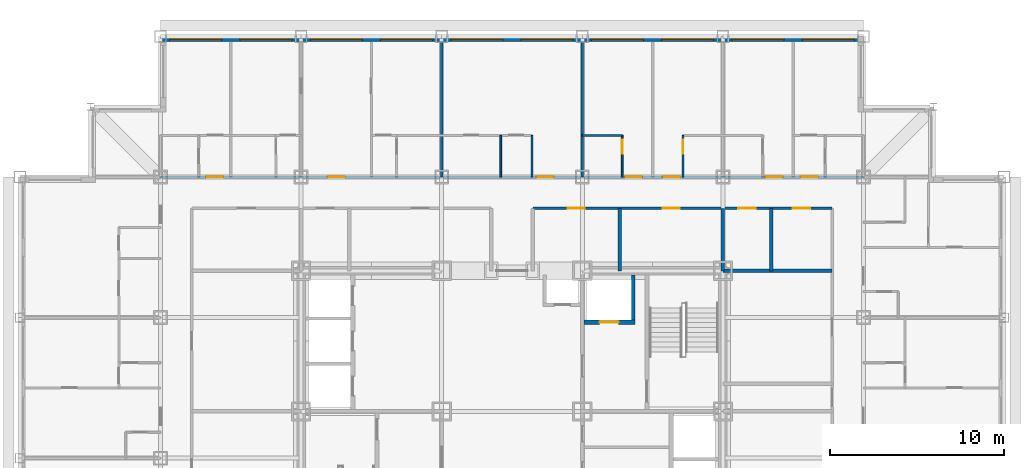
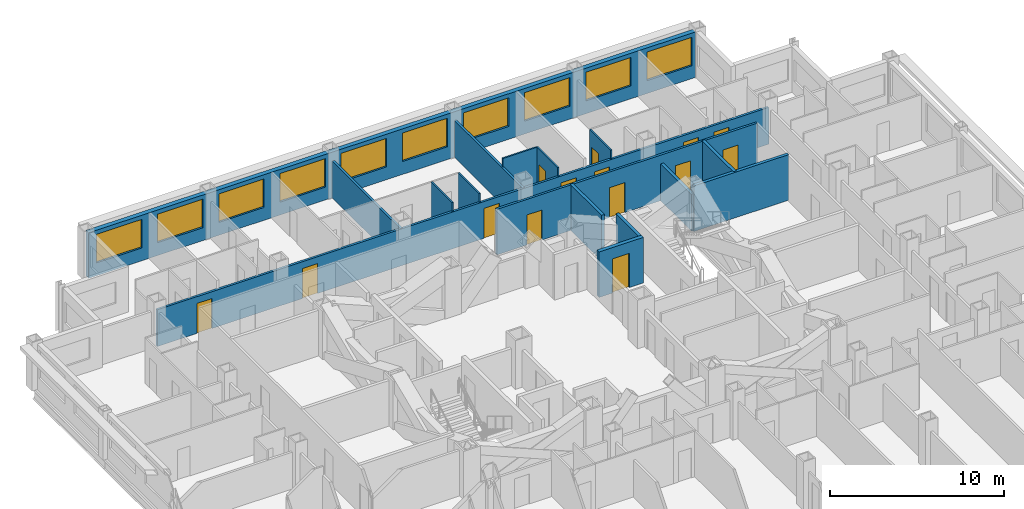
# One storey, part 10 of 13: 16 walls, 14 doors, 10 windows, 24 openings.
"""IFC4 building model written with IfcOpenShell, lengths in metres."""

from ifc_helpers import new_model, si_unit, direction, frame, frame_2d, origin, place, context, subcontext, project, spatial, rectangle, extrude, material, layer, layer_set, type_object, element, fill, save


model = new_model("IFC4")

# Units and contexts
model_context = context("Model", 3, precision=1e-05, world=origin(), true_north=direction((0.0, 1.0)))
body_context = subcontext(model_context, "Body", "Model", "MODEL_VIEW")
ifc_project = project(units=[si_unit("LENGTHUNIT", "METRE"), si_unit("AREAUNIT", "SQUARE_METRE"), si_unit("VOLUMEUNIT", "CUBIC_METRE"), si_unit("PLANEANGLEUNIT", "RADIAN"), si_unit("MASSUNIT", "GRAM", prefix="KILO")], contexts=[model_context])

# Site, building, storey
site_placement = place(None, origin())
site = spatial("IfcSite", under=ifc_project, at=site_placement, CompositionType="ELEMENT")
building_placement = place(site_placement, origin())
building = spatial("IfcBuilding", under=site, at=building_placement, Name="Kopane Lantern Tower", CompositionType="ELEMENT")
storey_placement = place(building_placement, frame((0.0, 0.0, 130.60009765625)))
storey = spatial("IfcBuildingStorey", under=building, at=storey_placement, Name="L33", CompositionType="ELEMENT", Elevation=130.60009765625)

# Walls
ifc_material_1 = material(Name="Moisture-resistant board on steel studs", Category="steel")
ifc_layer_1 = layer(ifc_material_1, 0.10009765625)
ifc_layer_set_1 = layer_set([ifc_layer_1], Name="BATHROOM WALL 100")
wall_type_1 = type_object("IfcWallType", Name="BATHROOM WALL 100", PredefinedType="PARTITIONING", material=ifc_layer_set_1)
for number, where, z_axis, x_axis, name in (
    (1, (27.699951171875, 45.89990234375, 0.0), (0.0, 0.0, 1.0), (0.0, 1.0, 0.0), "Bathroom Wall 100 L33"),
    (2, (29.5, 45.89990234375, 0.0), (0.0, 0.0, 1.0), (0.0, 1.0, 0.0), "Bathroom Wall 100 L33"),
):
    element("IfcWall", number, at=place(storey_placement, frame(where, z_axis=z_axis, x_axis=x_axis)), inside=storey, type_object=wall_type_1, Name=name, PredefinedType="PARTITIONING", context=body_context, shape_type="SweptSolid", body=[
        extrude(rectangle(XDim=2.400146484375, YDim=0.10009765625, at=frame_2d((1.2001953125, 0.0))), origin(), (0.0, 0.0, 1.0), 3.18994140625),
    ])
wall_1_placement = place(storey_placement, frame((32.39990234375, 48.300048828125, 0.0), z_axis=(0.0, 0.0, 1.0), x_axis=(1.0, 0.0, 0.0)))
element("IfcWall", 3, at=wall_1_placement, inside=storey, type_object=wall_type_1, Name="Bathroom Wall 100 L33", PredefinedType="PARTITIONING", context=body_context, shape_type="SweptSolid", body=[
    extrude(rectangle(XDim=2.300048828125, YDim=0.10009765625, at=frame_2d((1.14990234375, 0.0))), origin(), (0.0, 0.0, 1.0), 3.18994140625),
])

# Wall, opening, door
wall_2_placement = place(storey_placement, frame((34.699951171875, 45.89990234375, 0.0), z_axis=(0.0, 0.0, 1.0), x_axis=(0.0, 1.0, 0.0)))
wall_2 = element("IfcWall", 4, at=wall_2_placement, inside=storey, type_object=wall_type_1, Name="Bathroom Wall 100 L33", PredefinedType="PARTITIONING", context=body_context, shape_type="SweptSolid", body=[
    extrude(rectangle(XDim=2.400146484375, YDim=0.10009765625, at=frame_2d((1.2001953125, 0.0))), origin(), (0.0, 0.0, 1.0), 3.18994140625),
])
opening_1_placement = place(wall_2_placement, frame((1.35009765625, 0.0, 0.0)))
opening_1 = element("IfcOpeningElement", 5, at=opening_1_placement, cuts=wall_2, Name="Opening L33-037", PredefinedType="OPENING", context=body_context, shape_type="SweptSolid", body=[
    extrude(rectangle(XDim=0.800048828125, YDim=2.10009765625, at=frame_2d((0.39990234375, 1.050048828125))), frame((0.0, 0.06005859375, 0.0), z_axis=(0.0, -1.0, 0.0), x_axis=(1.0, 0.0, 0.0)), (0.0, 0.0, 1.0), 0.1201171875),
])
ifc_material_2 = material(Name="Timber door set", Category="wood")
door_type_1 = type_object("IfcDoorType", Name="DOOR D2 800x2100", OperationType="SINGLE_SWING_LEFT", PredefinedType="DOOR", material=ifc_material_2)
door_1_placement = place(opening_1_placement, origin())
door_1 = element("IfcDoor", 6, at=door_1_placement, inside=storey, type_object=door_type_1, Name="Door L33-037", OperationType="SINGLE_SWING_RIGHT", OverallHeight=2.10009765625, OverallWidth=0.800048828125, PredefinedType="DOOR", context=body_context, shape_type="SweptSolid", body=[
    extrude(rectangle(XDim=0.800048828125, YDim=2.10009765625, at=frame_2d((0.39990234375, 1.050048828125))), frame((0.0, 0.02490234375, 0.0), z_axis=(0.0, -1.0, 0.0), x_axis=(1.0, 0.0, 0.0)), (0.0, 0.0, 1.0), 0.050048828125),
])
fill(opening_1, door_1)

wall_3_placement = place(storey_placement, frame((38.199951171875, 45.89990234375, 0.0), z_axis=(0.0, 0.0, 1.0), x_axis=(0.0, 1.0, 0.0)))
wall_3 = element("IfcWall", 7, at=wall_3_placement, inside=storey, type_object=wall_type_1, Name="Bathroom Wall 100 L33", PredefinedType="PARTITIONING", context=body_context, shape_type="SweptSolid", body=[
    extrude(rectangle(XDim=2.400146484375, YDim=0.10009765625, at=frame_2d((1.2001953125, 0.0))), origin(), (0.0, 0.0, 1.0), 3.18994140625),
])
opening_2_placement = place(wall_3_placement, frame((1.35009765625, 0.0, 0.0)))
opening_2 = element("IfcOpeningElement", 8, at=opening_2_placement, cuts=wall_3, Name="Opening L33-039", PredefinedType="OPENING", context=body_context, shape_type="SweptSolid", body=[
    extrude(rectangle(XDim=0.800048828125, YDim=2.10009765625, at=frame_2d((0.39990234375, 1.050048828125))), frame((0.0, 0.06005859375, 0.0), z_axis=(0.0, -1.0, 0.0), x_axis=(1.0, 0.0, 0.0)), (0.0, 0.0, 1.0), 0.1201171875),
])
door_2_placement = place(opening_2_placement, origin())
door_2 = element("IfcDoor", 9, at=door_2_placement, inside=storey, type_object=door_type_1, Name="Door L33-039", OperationType="SINGLE_SWING_LEFT", OverallHeight=2.10009765625, OverallWidth=0.800048828125, PredefinedType="DOOR", context=body_context, shape_type="SweptSolid", body=[
    extrude(rectangle(XDim=0.800048828125, YDim=2.10009765625, at=frame_2d((0.39990234375, 1.050048828125))), frame((0.0, 0.02490234375, 0.0), z_axis=(0.0, -1.0, 0.0), x_axis=(1.0, 0.0, 0.0)), (0.0, 0.0, 1.0), 0.050048828125),
])
fill(opening_2, door_2)

ifc_material_3 = material(Name="Gypsum shaft wall EI 120", Category="gypsum")
ifc_layer_2 = layer(ifc_material_3, 0.25)
ifc_layer_set_2 = layer_set([ifc_layer_2], Name="CORE SHAFT WALL 250 EI 120")
wall_type_2 = type_object("IfcWallType", Name="CORE SHAFT WALL 250 EI 120", PredefinedType="SOLIDWALL", material=ifc_layer_set_2)
wall_4_placement = place(storey_placement, frame((32.5, 37.52490234375, 0.0), z_axis=(0.0, 0.0, 1.0), x_axis=(1.0, 0.0, 0.0)))
wall_4 = element("IfcWall", 10, at=wall_4_placement, inside=storey, type_object=wall_type_2, Name="Core shaft wall L33 YLF2", PredefinedType="SOLIDWALL", context=body_context, shape_type="SweptSolid", body=[
    extrude(rectangle(XDim=2.949951171875, YDim=0.25, at=frame_2d((1.47509765625, 0.0))), origin(), (0.0, 0.0, 1.0), 3.18994140625),
])
opening_3_placement = place(wall_4_placement, frame((0.89990234375, 0.0, 0.0)))
opening_3 = element("IfcOpeningElement", 11, at=opening_3_placement, cuts=wall_4, Name="Opening 33.LD-LF2", PredefinedType="OPENING", context=body_context, shape_type="SweptSolid", body=[
    extrude(rectangle(XDim=1.10009765625, YDim=2.39990234375, at=frame_2d((0.550048828125, 1.199951171875))), frame((0.0, 0.135009765625, 0.0), z_axis=(0.0, -1.0, 0.0), x_axis=(1.0, 0.0, 0.0)), (0.0, 0.0, 1.0), 0.27001953125),
])
ifc_material_4 = material(Name="Steel door set", Category="steel")
door_type_2 = type_object("IfcDoorType", Name="LIFT LANDING DOOR 1100x2400 FD60", OperationType="DOUBLE_DOOR_SLIDING", PredefinedType="DOOR", material=ifc_material_4)
door_3_placement = place(opening_3_placement, origin())
door_3 = element("IfcDoor", 12, at=door_3_placement, inside=storey, type_object=door_type_2, Name="Landing door LF2 L33", OperationType="DOUBLE_DOOR_SLIDING", OverallHeight=2.39990234375, OverallWidth=1.10009765625, PredefinedType="DOOR", context=body_context, shape_type="SweptSolid", body=[
    extrude(rectangle(XDim=1.10009765625, YDim=2.39990234375, at=frame_2d((0.550048828125, 1.199951171875))), frame((0.0, 0.02490234375, 0.0), z_axis=(0.0, -1.0, 0.0), x_axis=(1.0, 0.0, 0.0)), (0.0, 0.0, 1.0), 0.050048828125),
])
fill(opening_3, door_3)

# Wall, openings, doors
ifc_material_5 = material(Name="Gypsum board on steel studs", Category="steel")
ifc_layer_3 = layer(ifc_material_5, 0.14990234375)
ifc_layer_set_3 = layer_set([ifc_layer_3], Name="CORRIDOR WALL 150 EI 60")
wall_type_3 = type_object("IfcWallType", Name="CORRIDOR WALL 150 EI 60", PredefinedType="PARTITIONING", material=ifc_layer_set_3)
wall_5_placement = place(storey_placement, frame((8.10009765625, 45.89990234375, 0.0), z_axis=(0.0, 0.0, 1.0), x_axis=(1.0, 0.0, 0.0)))
wall_5 = element("IfcWall", 13, at=wall_5_placement, inside=storey, type_object=wall_type_3, Name="Corridor Wall 150 Ei 60 L33", PredefinedType="PARTITIONING", context=body_context, shape_type="SweptSolid", body=[
    extrude(rectangle(XDim=40.5, YDim=0.14990234375, at=frame_2d((20.25, 0.0))), origin(), (0.0, 0.0, 1.0), 2.57763671875),
])
opening_4_placement = place(wall_5_placement, frame((9.625, 0.0, 0.0)))
opening_4 = element("IfcOpeningElement", 14, at=opening_4_placement, cuts=wall_5, Name="Opening L33-029", PredefinedType="OPENING", context=body_context, shape_type="SweptSolid", body=[
    extrude(rectangle(XDim=1.0, YDim=2.10009765625, at=frame_2d((0.5, 1.050048828125))), frame((0.0, 0.0849609375, 0.0), z_axis=(0.0, -1.0, 0.0), x_axis=(1.0, 0.0, 0.0)), (0.0, 0.0, 1.0), 0.169921875),
])
opening_5_placement = place(wall_5_placement, frame((21.64990234375, 0.0, 0.0)))
opening_5 = element("IfcOpeningElement", 15, at=opening_5_placement, cuts=wall_5, Name="Opening L33-036", PredefinedType="OPENING", context=body_context, shape_type="SweptSolid", body=[
    extrude(rectangle(XDim=1.0, YDim=2.10009765625, at=frame_2d((0.5, 1.050048828125))), frame((0.0, 0.0849609375, 0.0), z_axis=(0.0, -1.0, 0.0), x_axis=(1.0, 0.0, 0.0)), (0.0, 0.0, 1.0), 0.169921875),
])
opening_6_placement = place(wall_5_placement, frame((26.75, 0.0, 0.0)))
opening_6 = element("IfcOpeningElement", 16, at=opening_6_placement, cuts=wall_5, Name="Opening L33-038", PredefinedType="OPENING", context=body_context, shape_type="SweptSolid", body=[
    extrude(rectangle(XDim=1.0, YDim=2.10009765625, at=frame_2d((0.5, 1.050048828125))), frame((0.0, 0.0849609375, 0.0), z_axis=(0.0, -1.0, 0.0), x_axis=(1.0, 0.0, 0.0)), (0.0, 0.0, 1.0), 0.169921875),
])
opening_7_placement = place(wall_5_placement, frame((28.949951171875, 0.0, 0.0)))
opening_7 = element("IfcOpeningElement", 17, at=opening_7_placement, cuts=wall_5, Name="Opening L33-040", PredefinedType="OPENING", context=body_context, shape_type="SweptSolid", body=[
    extrude(rectangle(XDim=1.0, YDim=2.10009765625, at=frame_2d((0.5, 1.050048828125))), frame((0.0, 0.0849609375, 0.0), z_axis=(0.0, -1.0, 0.0), x_axis=(1.0, 0.0, 0.0)), (0.0, 0.0, 1.0), 0.169921875),
])
opening_8_placement = place(wall_5_placement, frame((34.85009765625, 0.0, 0.0)))
opening_8 = element("IfcOpeningElement", 18, at=opening_8_placement, cuts=wall_5, Name="Opening L33-042", PredefinedType="OPENING", context=body_context, shape_type="SweptSolid", body=[
    extrude(rectangle(XDim=1.0, YDim=2.10009765625, at=frame_2d((0.5, 1.050048828125))), frame((0.0, 0.0849609375, 0.0), z_axis=(0.0, -1.0, 0.0), x_axis=(1.0, 0.0, 0.0)), (0.0, 0.0, 1.0), 0.169921875),
])
opening_9_placement = place(wall_5_placement, frame((36.875, 0.0, 0.0)))
opening_9 = element("IfcOpeningElement", 19, at=opening_9_placement, cuts=wall_5, Name="Opening L33-074", PredefinedType="OPENING", context=body_context, shape_type="SweptSolid", body=[
    extrude(rectangle(XDim=1.0, YDim=2.10009765625, at=frame_2d((0.5, 1.050048828125))), frame((0.0, 0.0849609375, 0.0), z_axis=(0.0, -1.0, 0.0), x_axis=(1.0, 0.0, 0.0)), (0.0, 0.0, 1.0), 0.169921875),
])
opening_10_placement = place(wall_5_placement, frame((2.625, 0.0, 0.0)))
opening_10 = element("IfcOpeningElement", 20, at=opening_10_placement, cuts=wall_5, Name="Opening L33-077", PredefinedType="OPENING", context=body_context, shape_type="SweptSolid", body=[
    extrude(rectangle(XDim=1.0, YDim=2.10009765625, at=frame_2d((0.5, 1.050048828125))), frame((0.0, 0.0849609375, 0.0), z_axis=(0.0, -1.0, 0.0), x_axis=(1.0, 0.0, 0.0)), (0.0, 0.0, 1.0), 0.169921875),
])
ifc_material_6 = material(Name="Steel door set", Category="steel")
door_type_3 = type_object("IfcDoorType", Name="DOOR D1 1000x2100 FD30S", OperationType="SINGLE_SWING_LEFT", PredefinedType="DOOR", material=ifc_material_6)
door_4_placement = place(opening_4_placement, origin())
door_4 = element("IfcDoor", 21, at=door_4_placement, inside=storey, type_object=door_type_3, Name="Door L33-029", OperationType="SINGLE_SWING_RIGHT", OverallHeight=2.10009765625, OverallWidth=1.0, PredefinedType="DOOR", context=body_context, shape_type="SweptSolid", body=[
    extrude(rectangle(XDim=1.0, YDim=2.10009765625, at=frame_2d((0.5, 1.050048828125))), frame((0.0, 0.02490234375, 0.0), z_axis=(0.0, -1.0, 0.0), x_axis=(1.0, 0.0, 0.0)), (0.0, 0.0, 1.0), 0.050048828125),
])
fill(opening_4, door_4)
door_5_placement = place(opening_5_placement, origin())
door_5 = element("IfcDoor", 22, at=door_5_placement, inside=storey, type_object=door_type_3, Name="Door L33-036", OperationType="SINGLE_SWING_LEFT", OverallHeight=2.10009765625, OverallWidth=1.0, PredefinedType="DOOR", context=body_context, shape_type="SweptSolid", body=[
    extrude(rectangle(XDim=1.0, YDim=2.10009765625, at=frame_2d((0.5, 1.050048828125))), frame((0.0, 0.02490234375, 0.0), z_axis=(0.0, -1.0, 0.0), x_axis=(1.0, 0.0, 0.0)), (0.0, 0.0, 1.0), 0.050048828125),
])
fill(opening_5, door_5)
door_6_placement = place(opening_6_placement, origin())
door_6 = element("IfcDoor", 23, at=door_6_placement, inside=storey, type_object=door_type_3, Name="Door L33-038", OperationType="SINGLE_SWING_LEFT", OverallHeight=2.10009765625, OverallWidth=1.0, PredefinedType="DOOR", context=body_context, shape_type="SweptSolid", body=[
    extrude(rectangle(XDim=1.0, YDim=2.10009765625, at=frame_2d((0.5, 1.050048828125))), frame((0.0, 0.02490234375, 0.0), z_axis=(0.0, -1.0, 0.0), x_axis=(1.0, 0.0, 0.0)), (0.0, 0.0, 1.0), 0.050048828125),
])
fill(opening_6, door_6)
door_7_placement = place(opening_7_placement, origin())
door_7 = element("IfcDoor", 24, at=door_7_placement, inside=storey, type_object=door_type_3, Name="Door L33-040", OperationType="SINGLE_SWING_RIGHT", OverallHeight=2.10009765625, OverallWidth=1.0, PredefinedType="DOOR", context=body_context, shape_type="SweptSolid", body=[
    extrude(rectangle(XDim=1.0, YDim=2.10009765625, at=frame_2d((0.5, 1.050048828125))), frame((0.0, 0.02490234375, 0.0), z_axis=(0.0, -1.0, 0.0), x_axis=(1.0, 0.0, 0.0)), (0.0, 0.0, 1.0), 0.050048828125),
])
fill(opening_7, door_7)
door_8_placement = place(opening_8_placement, origin())
door_8 = element("IfcDoor", 25, at=door_8_placement, inside=storey, type_object=door_type_3, Name="Door L33-042", OperationType="SINGLE_SWING_LEFT", OverallHeight=2.10009765625, OverallWidth=1.0, PredefinedType="DOOR", context=body_context, shape_type="SweptSolid", body=[
    extrude(rectangle(XDim=1.0, YDim=2.10009765625, at=frame_2d((0.5, 1.050048828125))), frame((0.0, 0.02490234375, 0.0), z_axis=(0.0, -1.0, 0.0), x_axis=(1.0, 0.0, 0.0)), (0.0, 0.0, 1.0), 0.050048828125),
])
fill(opening_8, door_8)
door_9_placement = place(opening_9_placement, origin())
door_9 = element("IfcDoor", 26, at=door_9_placement, inside=storey, type_object=door_type_3, Name="Door L33-074", OperationType="SINGLE_SWING_LEFT", OverallHeight=2.10009765625, OverallWidth=1.0, PredefinedType="DOOR", context=body_context, shape_type="SweptSolid", body=[
    extrude(rectangle(XDim=1.0, YDim=2.10009765625, at=frame_2d((0.5, 1.050048828125))), frame((0.0, 0.02490234375, 0.0), z_axis=(0.0, -1.0, 0.0), x_axis=(1.0, 0.0, 0.0)), (0.0, 0.0, 1.0), 0.050048828125),
])
fill(opening_9, door_9)
door_10_placement = place(opening_10_placement, origin())
door_10 = element("IfcDoor", 27, at=door_10_placement, inside=storey, type_object=door_type_3, Name="Door L33-077", OperationType="SINGLE_SWING_LEFT", OverallHeight=2.10009765625, OverallWidth=1.0, PredefinedType="DOOR", context=body_context, shape_type="SweptSolid", body=[
    extrude(rectangle(XDim=1.0, YDim=2.10009765625, at=frame_2d((0.5, 1.050048828125))), frame((0.0, 0.02490234375, 0.0), z_axis=(0.0, -1.0, 0.0), x_axis=(1.0, 0.0, 0.0)), (0.0, 0.0, 1.0), 0.050048828125),
])
fill(opening_10, door_10)

wall_6_placement = place(storey_placement, frame((46.800048828125, 44.10009765625, 0.0), z_axis=(0.0, 0.0, 1.0), x_axis=(-1.0, 0.0, 0.0)))
wall_6 = element("IfcWall", 28, at=wall_6_placement, inside=storey, type_object=wall_type_3, Name="Corridor Wall 150 Ei 60 L33", PredefinedType="PARTITIONING", context=body_context, shape_type="SweptSolid", body=[
    extrude(rectangle(XDim=17.239990234375, YDim=0.14990234375, at=frame_2d((8.6201171875, 0.0))), origin(), (0.0, 0.0, 1.0), 3.18994140625),
])
opening_11_placement = place(wall_6_placement, frame((14.25, 0.0, 0.0)))
opening_11 = element("IfcOpeningElement", 29, at=opening_11_placement, cuts=wall_6, Name="Opening L33-011", PredefinedType="OPENING", context=body_context, shape_type="SweptSolid", body=[
    extrude(rectangle(XDim=1.0, YDim=2.10009765625, at=frame_2d((0.5, 1.050048828125))), frame((0.0, 0.0849609375, 0.0), z_axis=(0.0, -1.0, 0.0), x_axis=(1.0, 0.0, 0.0)), (0.0, 0.0, 1.0), 0.169921875),
])
opening_12_placement = place(wall_6_placement, frame((8.77490234375, 0.0, 0.0)))
opening_12 = element("IfcOpeningElement", 30, at=opening_12_placement, cuts=wall_6, Name="Opening L33-012", PredefinedType="OPENING", context=body_context, shape_type="SweptSolid", body=[
    extrude(rectangle(XDim=1.0, YDim=2.10009765625, at=frame_2d((0.5, 1.050048828125))), frame((0.0, 0.0849609375, 0.0), z_axis=(0.0, -1.0, 0.0), x_axis=(1.0, 0.0, 0.0)), (0.0, 0.0, 1.0), 0.169921875),
])
opening_13_placement = place(wall_6_placement, frame((4.4111328125, 0.0, 0.0)))
opening_13 = element("IfcOpeningElement", 31, at=opening_13_placement, cuts=wall_6, Name="Opening L33-013", PredefinedType="OPENING", context=body_context, shape_type="SweptSolid", body=[
    extrude(rectangle(XDim=1.0, YDim=2.10009765625, at=frame_2d((0.5, 1.050048828125))), frame((0.0, 0.0849609375, 0.0), z_axis=(0.0, -1.0, 0.0), x_axis=(1.0, 0.0, 0.0)), (0.0, 0.0, 1.0), 0.169921875),
])
opening_14_placement = place(wall_6_placement, frame((1.260986328125, 0.0, 0.0)))
opening_14 = element("IfcOpeningElement", 32, at=opening_14_placement, cuts=wall_6, Name="Opening L33-014", PredefinedType="OPENING", context=body_context, shape_type="SweptSolid", body=[
    extrude(rectangle(XDim=1.0, YDim=2.10009765625, at=frame_2d((0.5, 1.050048828125))), frame((0.0, 0.0849609375, 0.0), z_axis=(0.0, -1.0, 0.0), x_axis=(1.0, 0.0, 0.0)), (0.0, 0.0, 1.0), 0.169921875),
])
ifc_material_7 = material(Name="Steel door set", Category="steel")
door_type_4 = type_object("IfcDoorType", Name="DOOR D5 1000x2100 FD60", OperationType="SINGLE_SWING_LEFT", PredefinedType="DOOR", material=ifc_material_7)
door_11_placement = place(opening_11_placement, origin())
door_11 = element("IfcDoor", 33, at=door_11_placement, inside=storey, type_object=door_type_4, Name="Door L33-011", OperationType="SINGLE_SWING_RIGHT", OverallHeight=2.10009765625, OverallWidth=1.0, PredefinedType="DOOR", context=body_context, shape_type="SweptSolid", body=[
    extrude(rectangle(XDim=1.0, YDim=2.10009765625, at=frame_2d((0.5, 1.050048828125))), frame((0.0, 0.02490234375, 0.0), z_axis=(0.0, -1.0, 0.0), x_axis=(1.0, 0.0, 0.0)), (0.0, 0.0, 1.0), 0.050048828125),
])
fill(opening_11, door_11)
door_12_placement = place(opening_12_placement, origin())
door_12 = element("IfcDoor", 34, at=door_12_placement, inside=storey, type_object=door_type_4, Name="Door L33-012", OperationType="SINGLE_SWING_LEFT", OverallHeight=2.10009765625, OverallWidth=1.0, PredefinedType="DOOR", context=body_context, shape_type="SweptSolid", body=[
    extrude(rectangle(XDim=1.0, YDim=2.10009765625, at=frame_2d((0.5, 1.050048828125))), frame((0.0, 0.02490234375, 0.0), z_axis=(0.0, -1.0, 0.0), x_axis=(1.0, 0.0, 0.0)), (0.0, 0.0, 1.0), 0.050048828125),
])
fill(opening_12, door_12)
door_13_placement = place(opening_13_placement, origin())
door_13 = element("IfcDoor", 35, at=door_13_placement, inside=storey, type_object=door_type_4, Name="Door L33-013", OperationType="SINGLE_SWING_RIGHT", OverallHeight=2.10009765625, OverallWidth=1.0, PredefinedType="DOOR", context=body_context, shape_type="SweptSolid", body=[
    extrude(rectangle(XDim=1.0, YDim=2.10009765625, at=frame_2d((0.5, 1.050048828125))), frame((0.0, 0.02490234375, 0.0), z_axis=(0.0, -1.0, 0.0), x_axis=(1.0, 0.0, 0.0)), (0.0, 0.0, 1.0), 0.050048828125),
])
fill(opening_13, door_13)
door_14_placement = place(opening_14_placement, origin())
door_14 = element("IfcDoor", 36, at=door_14_placement, inside=storey, type_object=door_type_4, Name="Door L33-014", OperationType="SINGLE_SWING_LEFT", OverallHeight=2.10009765625, OverallWidth=1.0, PredefinedType="DOOR", context=body_context, shape_type="SweptSolid", body=[
    extrude(rectangle(XDim=1.0, YDim=2.10009765625, at=frame_2d((0.5, 1.050048828125))), frame((0.0, 0.02490234375, 0.0), z_axis=(0.0, -1.0, 0.0), x_axis=(1.0, 0.0, 0.0)), (0.0, 0.0, 1.0), 0.050048828125),
])
fill(opening_14, door_14)

# Walls
ifc_material_8 = material(Name="Gypsum board on steel studs", Category="steel")
ifc_layer_4 = layer(ifc_material_8, 0.14990234375)
ifc_layer_set_4 = layer_set([ifc_layer_4], Name="DEMISING WALL 150 EI 60")
wall_type_4 = type_object("IfcWallType", Name="DEMISING WALL 150 EI 60", PredefinedType="PARTITIONING", material=ifc_layer_set_4)
for number, where, z_axis, x_axis, name in (
    (37, (24.300048828125, 45.89990234375, 0.0), (0.0, 0.0, 1.0), (0.0, 1.0, 0.0), "Demising Wall 150 Ei 60 L33"),
    (38, (32.39990234375, 45.89990234375, 0.0), (0.0, 0.0, 1.0), (0.0, 1.0, 0.0), "Demising Wall 150 Ei 60 L33"),
):
    element("IfcWall", number, at=place(storey_placement, frame(where, z_axis=z_axis, x_axis=x_axis)), inside=storey, type_object=wall_type_4, Name=name, PredefinedType="PARTITIONING", context=body_context, shape_type="SweptSolid", body=[
        extrude(rectangle(XDim=7.800048828125, YDim=0.14990234375, at=frame_2d((3.89990234375, 0.0))), origin(), (0.0, 0.0, 1.0), 2.57763671875),
    ])

# Wall, openings, windows
ifc_material_9 = material(Name="Terracotta rainscreen on light steel framing", Category="masonry")
ifc_layer_5 = layer(ifc_material_9, 0.300048828125)
ifc_layer_set_5 = layer_set([ifc_layer_5], Name="EXTERNAL WALL EW1 300 TERRACOTTA")
wall_type_5 = type_object("IfcWallType", Name="EXTERNAL WALL EW1 300 TERRACOTTA", PredefinedType="SOLIDWALL", material=ifc_layer_set_5)
wall_7_placement = place(storey_placement, frame((48.300048828125, 53.85009765625, 0.0), z_axis=(0.0, 0.0, 1.0), x_axis=(-1.0, 0.0, 0.0)))
wall_7 = element("IfcWall", 39, at=wall_7_placement, inside=storey, type_object=wall_type_5, Name="External wall N L33", PredefinedType="SOLIDWALL", context=body_context, shape_type="SweptSolid", body=[
    extrude(rectangle(XDim=40.199951171875, YDim=0.300048828125, at=frame_2d((20.10009765625, 0.0))), origin(), (0.0, 0.0, 1.0), 3.18994140625),
])
opening_15_placement = place(wall_7_placement, frame((0.22509765625, 0.0, 0.89990234375)))
opening_15 = element("IfcOpeningElement", 40, at=opening_15_placement, cuts=wall_7, Name="Opening WR300200", PredefinedType="OPENING", context=body_context, shape_type="SweptSolid", body=[
    extrude(rectangle(XDim=3.0, YDim=2.0, at=frame_2d((1.5, 1.0))), frame((0.0, 0.159912109375, 0.0), z_axis=(0.0, -1.0, 0.0), x_axis=(1.0, 0.0, 0.0)), (0.0, 0.0, 1.0), 0.320068359375),
])
opening_16_placement = place(wall_7_placement, frame((4.27490234375, 0.0, 0.89990234375)))
opening_16 = element("IfcOpeningElement", 41, at=opening_16_placement, cuts=wall_7, Name="Opening WR300200", PredefinedType="OPENING", context=body_context, shape_type="SweptSolid", body=[
    extrude(rectangle(XDim=3.0, YDim=2.0, at=frame_2d((1.5, 1.0))), frame((0.0, 0.159912109375, 0.0), z_axis=(0.0, -1.0, 0.0), x_axis=(1.0, 0.0, 0.0)), (0.0, 0.0, 1.0), 0.320068359375),
])
opening_17_placement = place(wall_7_placement, frame((8.324951171875, 0.0, 0.89990234375)))
opening_17 = element("IfcOpeningElement", 42, at=opening_17_placement, cuts=wall_7, Name="Opening WR300200", PredefinedType="OPENING", context=body_context, shape_type="SweptSolid", body=[
    extrude(rectangle(XDim=3.0, YDim=2.0, at=frame_2d((1.5, 1.0))), frame((0.0, 0.159912109375, 0.0), z_axis=(0.0, -1.0, 0.0), x_axis=(1.0, 0.0, 0.0)), (0.0, 0.0, 1.0), 0.320068359375),
])
opening_18_placement = place(wall_7_placement, frame((12.375, 0.0, 0.89990234375)))
opening_18 = element("IfcOpeningElement", 43, at=opening_18_placement, cuts=wall_7, Name="Opening WR300200", PredefinedType="OPENING", context=body_context, shape_type="SweptSolid", body=[
    extrude(rectangle(XDim=3.0, YDim=2.0, at=frame_2d((1.5, 1.0))), frame((0.0, 0.159912109375, 0.0), z_axis=(0.0, -1.0, 0.0), x_axis=(1.0, 0.0, 0.0)), (0.0, 0.0, 1.0), 0.320068359375),
])
opening_19_placement = place(wall_7_placement, frame((16.425048828125, 0.0, 0.89990234375)))
opening_19 = element("IfcOpeningElement", 44, at=opening_19_placement, cuts=wall_7, Name="Opening WR300200", PredefinedType="OPENING", context=body_context, shape_type="SweptSolid", body=[
    extrude(rectangle(XDim=3.0, YDim=2.0, at=frame_2d((1.5, 1.0))), frame((0.0, 0.159912109375, 0.0), z_axis=(0.0, -1.0, 0.0), x_axis=(1.0, 0.0, 0.0)), (0.0, 0.0, 1.0), 0.320068359375),
])
opening_20_placement = place(wall_7_placement, frame((20.47509765625, 0.0, 0.89990234375)))
opening_20 = element("IfcOpeningElement", 45, at=opening_20_placement, cuts=wall_7, Name="Opening WR300200", PredefinedType="OPENING", context=body_context, shape_type="SweptSolid", body=[
    extrude(rectangle(XDim=3.0, YDim=2.0, at=frame_2d((1.5, 1.0))), frame((0.0, 0.159912109375, 0.0), z_axis=(0.0, -1.0, 0.0), x_axis=(1.0, 0.0, 0.0)), (0.0, 0.0, 1.0), 0.320068359375),
])
opening_21_placement = place(wall_7_placement, frame((24.52490234375, 0.0, 0.89990234375)))
opening_21 = element("IfcOpeningElement", 46, at=opening_21_placement, cuts=wall_7, Name="Opening WR300200", PredefinedType="OPENING", context=body_context, shape_type="SweptSolid", body=[
    extrude(rectangle(XDim=3.0, YDim=2.0, at=frame_2d((1.5, 1.0))), frame((0.0, 0.159912109375, 0.0), z_axis=(0.0, -1.0, 0.0), x_axis=(1.0, 0.0, 0.0)), (0.0, 0.0, 1.0), 0.320068359375),
])
opening_22_placement = place(wall_7_placement, frame((28.574951171875, 0.0, 0.89990234375)))
opening_22 = element("IfcOpeningElement", 47, at=opening_22_placement, cuts=wall_7, Name="Opening WR300200", PredefinedType="OPENING", context=body_context, shape_type="SweptSolid", body=[
    extrude(rectangle(XDim=3.0, YDim=2.0, at=frame_2d((1.5, 1.0))), frame((0.0, 0.159912109375, 0.0), z_axis=(0.0, -1.0, 0.0), x_axis=(1.0, 0.0, 0.0)), (0.0, 0.0, 1.0), 0.320068359375),
])
opening_23_placement = place(wall_7_placement, frame((32.625, 0.0, 0.89990234375)))
opening_23 = element("IfcOpeningElement", 48, at=opening_23_placement, cuts=wall_7, Name="Opening WR300200", PredefinedType="OPENING", context=body_context, shape_type="SweptSolid", body=[
    extrude(rectangle(XDim=3.0, YDim=2.0, at=frame_2d((1.5, 1.0))), frame((0.0, 0.159912109375, 0.0), z_axis=(0.0, -1.0, 0.0), x_axis=(1.0, 0.0, 0.0)), (0.0, 0.0, 1.0), 0.320068359375),
])
opening_24_placement = place(wall_7_placement, frame((36.675048828125, 0.0, 0.89990234375)))
opening_24 = element("IfcOpeningElement", 49, at=opening_24_placement, cuts=wall_7, Name="Opening WR300200", PredefinedType="OPENING", context=body_context, shape_type="SweptSolid", body=[
    extrude(rectangle(XDim=3.0, YDim=2.0, at=frame_2d((1.5, 1.0))), frame((0.0, 0.159912109375, 0.0), z_axis=(0.0, -1.0, 0.0), x_axis=(1.0, 0.0, 0.0)), (0.0, 0.0, 1.0), 0.320068359375),
])
ifc_material_10 = material(Name="Aluminium and clear glass", Category="aluminium")
window_type = type_object("IfcWindowType", Name="RIBBON WINDOW WR300200 3000x2000", PartitioningType="SINGLE_PANEL", PredefinedType="WINDOW", material=ifc_material_10)
window_1_placement = place(opening_15_placement, origin())
window_1 = element("IfcWindow", 50, at=window_1_placement, inside=storey, type_object=window_type, Name="Window N L33", OverallHeight=2.0, OverallWidth=3.0, PartitioningType="SINGLE_PANEL", PredefinedType="WINDOW", context=body_context, shape_type="SweptSolid", body=[
    extrude(rectangle(XDim=3.0, YDim=2.0, at=frame_2d((1.5, 1.0))), frame((0.0, 0.030029296875, 0.0), z_axis=(0.0, -1.0, 0.0), x_axis=(1.0, 0.0, 0.0)), (0.0, 0.0, 1.0), 0.06005859375),
])
fill(opening_15, window_1)
window_2_placement = place(opening_16_placement, origin())
window_2 = element("IfcWindow", 51, at=window_2_placement, inside=storey, type_object=window_type, Name="Window N L33", OverallHeight=2.0, OverallWidth=3.0, PartitioningType="SINGLE_PANEL", PredefinedType="WINDOW", context=body_context, shape_type="SweptSolid", body=[
    extrude(rectangle(XDim=3.0, YDim=2.0, at=frame_2d((1.5, 1.0))), frame((0.0, 0.030029296875, 0.0), z_axis=(0.0, -1.0, 0.0), x_axis=(1.0, 0.0, 0.0)), (0.0, 0.0, 1.0), 0.06005859375),
])
fill(opening_16, window_2)
window_3_placement = place(opening_17_placement, origin())
window_3 = element("IfcWindow", 52, at=window_3_placement, inside=storey, type_object=window_type, Name="Window N L33", OverallHeight=2.0, OverallWidth=3.0, PartitioningType="SINGLE_PANEL", PredefinedType="WINDOW", context=body_context, shape_type="SweptSolid", body=[
    extrude(rectangle(XDim=3.0, YDim=2.0, at=frame_2d((1.5, 1.0))), frame((0.0, 0.030029296875, 0.0), z_axis=(0.0, -1.0, 0.0), x_axis=(1.0, 0.0, 0.0)), (0.0, 0.0, 1.0), 0.06005859375),
])
fill(opening_17, window_3)
window_4_placement = place(opening_18_placement, origin())
window_4 = element("IfcWindow", 53, at=window_4_placement, inside=storey, type_object=window_type, Name="Window N L33", OverallHeight=2.0, OverallWidth=3.0, PartitioningType="SINGLE_PANEL", PredefinedType="WINDOW", context=body_context, shape_type="SweptSolid", body=[
    extrude(rectangle(XDim=3.0, YDim=2.0, at=frame_2d((1.5, 1.0))), frame((0.0, 0.030029296875, 0.0), z_axis=(0.0, -1.0, 0.0), x_axis=(1.0, 0.0, 0.0)), (0.0, 0.0, 1.0), 0.06005859375),
])
fill(opening_18, window_4)
window_5_placement = place(opening_19_placement, origin())
window_5 = element("IfcWindow", 54, at=window_5_placement, inside=storey, type_object=window_type, Name="Window N L33", OverallHeight=2.0, OverallWidth=3.0, PartitioningType="SINGLE_PANEL", PredefinedType="WINDOW", context=body_context, shape_type="SweptSolid", body=[
    extrude(rectangle(XDim=3.0, YDim=2.0, at=frame_2d((1.5, 1.0))), frame((0.0, 0.030029296875, 0.0), z_axis=(0.0, -1.0, 0.0), x_axis=(1.0, 0.0, 0.0)), (0.0, 0.0, 1.0), 0.06005859375),
])
fill(opening_19, window_5)
window_6_placement = place(opening_20_placement, origin())
window_6 = element("IfcWindow", 55, at=window_6_placement, inside=storey, type_object=window_type, Name="Window N L33", OverallHeight=2.0, OverallWidth=3.0, PartitioningType="SINGLE_PANEL", PredefinedType="WINDOW", context=body_context, shape_type="SweptSolid", body=[
    extrude(rectangle(XDim=3.0, YDim=2.0, at=frame_2d((1.5, 1.0))), frame((0.0, 0.030029296875, 0.0), z_axis=(0.0, -1.0, 0.0), x_axis=(1.0, 0.0, 0.0)), (0.0, 0.0, 1.0), 0.06005859375),
])
fill(opening_20, window_6)
window_7_placement = place(opening_21_placement, origin())
window_7 = element("IfcWindow", 56, at=window_7_placement, inside=storey, type_object=window_type, Name="Window N L33", OverallHeight=2.0, OverallWidth=3.0, PartitioningType="SINGLE_PANEL", PredefinedType="WINDOW", context=body_context, shape_type="SweptSolid", body=[
    extrude(rectangle(XDim=3.0, YDim=2.0, at=frame_2d((1.5, 1.0))), frame((0.0, 0.030029296875, 0.0), z_axis=(0.0, -1.0, 0.0), x_axis=(1.0, 0.0, 0.0)), (0.0, 0.0, 1.0), 0.06005859375),
])
fill(opening_21, window_7)
window_8_placement = place(opening_22_placement, origin())
window_8 = element("IfcWindow", 57, at=window_8_placement, inside=storey, type_object=window_type, Name="Window N L33", OverallHeight=2.0, OverallWidth=3.0, PartitioningType="SINGLE_PANEL", PredefinedType="WINDOW", context=body_context, shape_type="SweptSolid", body=[
    extrude(rectangle(XDim=3.0, YDim=2.0, at=frame_2d((1.5, 1.0))), frame((0.0, 0.030029296875, 0.0), z_axis=(0.0, -1.0, 0.0), x_axis=(1.0, 0.0, 0.0)), (0.0, 0.0, 1.0), 0.06005859375),
])
fill(opening_22, window_8)
window_9_placement = place(opening_23_placement, origin())
window_9 = element("IfcWindow", 58, at=window_9_placement, inside=storey, type_object=window_type, Name="Window N L33", OverallHeight=2.0, OverallWidth=3.0, PartitioningType="SINGLE_PANEL", PredefinedType="WINDOW", context=body_context, shape_type="SweptSolid", body=[
    extrude(rectangle(XDim=3.0, YDim=2.0, at=frame_2d((1.5, 1.0))), frame((0.0, 0.030029296875, 0.0), z_axis=(0.0, -1.0, 0.0), x_axis=(1.0, 0.0, 0.0)), (0.0, 0.0, 1.0), 0.06005859375),
])
fill(opening_23, window_9)
window_10_placement = place(opening_24_placement, origin())
window_10 = element("IfcWindow", 59, at=window_10_placement, inside=storey, type_object=window_type, Name="Window N L33", OverallHeight=2.0, OverallWidth=3.0, PartitioningType="SINGLE_PANEL", PredefinedType="WINDOW", context=body_context, shape_type="SweptSolid", body=[
    extrude(rectangle(XDim=3.0, YDim=2.0, at=frame_2d((1.5, 1.0))), frame((0.0, 0.030029296875, 0.0), z_axis=(0.0, -1.0, 0.0), x_axis=(1.0, 0.0, 0.0)), (0.0, 0.0, 1.0), 0.06005859375),
])
fill(opening_24, window_10)

# Walls
ifc_material_11 = material(Name="Concrete masonry", Category="masonry")
ifc_layer_6 = layer(ifc_material_11, 0.199951171875)
ifc_layer_set_6 = layer_set([ifc_layer_6], Name="PLANT ROOM WALL 200 EI 120")
wall_type_6 = type_object("IfcWallType", Name="PLANT ROOM WALL 200 EI 120", PredefinedType="SOLIDWALL", material=ifc_layer_set_6)
wall_8_placement = place(storey_placement, frame((40.5, 40.5, 0.0), z_axis=(0.0, 0.0, 1.0), x_axis=(0.0, 1.0, 0.0)))
element("IfcWall", 60, at=wall_8_placement, inside=storey, type_object=wall_type_6, Name="Plant Room Wall 200 Ei 120 L33", PredefinedType="SOLIDWALL", context=body_context, shape_type="SweptSolid", body=[
    extrude(rectangle(XDim=3.60009765625, YDim=0.199951171875, at=frame_2d((1.800048828125, 0.0))), origin(), (0.0, 0.0, 1.0), 2.57763671875),
])
for number, where, z_axis, x_axis, name in (
    (61, (34.550048828125, 44.10009765625, 0.0), (0.0, 0.0, 1.0), (0.0, -1.0, 0.0), "Plant Room Wall 200 Ei 120 L33"),
    (62, (43.27783203125, 44.10009765625, 0.0), (0.0, 0.0, 1.0), (0.0, -1.0, 0.0), "Plant Room Wall 200 Ei 120 L33"),
):
    element("IfcWall", number, at=place(storey_placement, frame(where, z_axis=z_axis, x_axis=x_axis)), inside=storey, type_object=wall_type_6, Name=name, PredefinedType="SOLIDWALL", context=body_context, shape_type="SweptSolid", body=[
        extrude(rectangle(XDim=3.60009765625, YDim=0.199951171875, at=frame_2d((1.800048828125, 0.0))), origin(), (0.0, 0.0, 1.0), 3.18994140625),
    ])
wall_9_placement = place(storey_placement, frame((40.5, 40.5, 0.0), z_axis=(0.0, 0.0, 1.0), x_axis=(1.0, 0.0, 0.0)))
element("IfcWall", 63, at=wall_9_placement, inside=storey, type_object=wall_type_6, Name="Plant Room Wall 200 Ei 120 L33", PredefinedType="SOLIDWALL", context=body_context, shape_type="SweptSolid", body=[
    extrude(rectangle(XDim=6.300048828125, YDim=0.199951171875, at=frame_2d((3.14990234375, 0.0))), origin(), (0.0, 0.0, 1.0), 3.18994140625),
])
ifc_material_12 = material(Name="Gypsum shaft wall EI 120", Category="gypsum")
ifc_layer_7 = layer(ifc_material_12, 0.199951171875)
ifc_layer_set_7 = layer_set([ifc_layer_7], Name="SHAFT WALL 200 EI 120")
wall_type_7 = type_object("IfcWallType", Name="SHAFT WALL 200 EI 120", PredefinedType="SOLIDWALL", material=ifc_layer_set_7)
wall_10_placement = place(storey_placement, frame((35.35009765625, 37.64990234375, 0.0), z_axis=(0.0, 0.0, 1.0), x_axis=(0.0, 1.0, 0.0)))
element("IfcWall", 64, at=wall_10_placement, inside=storey, type_object=wall_type_7, Name="Core shaft wall L33 XLF2", PredefinedType="SOLIDWALL", context=body_context, shape_type="SweptSolid", body=[
    extrude(rectangle(XDim=2.60009765625, YDim=0.199951171875, at=frame_2d((1.300048828125, 0.0))), origin(), (0.0, 0.0, 1.0), 3.18994140625),
])

save(model, "model.ifc")
